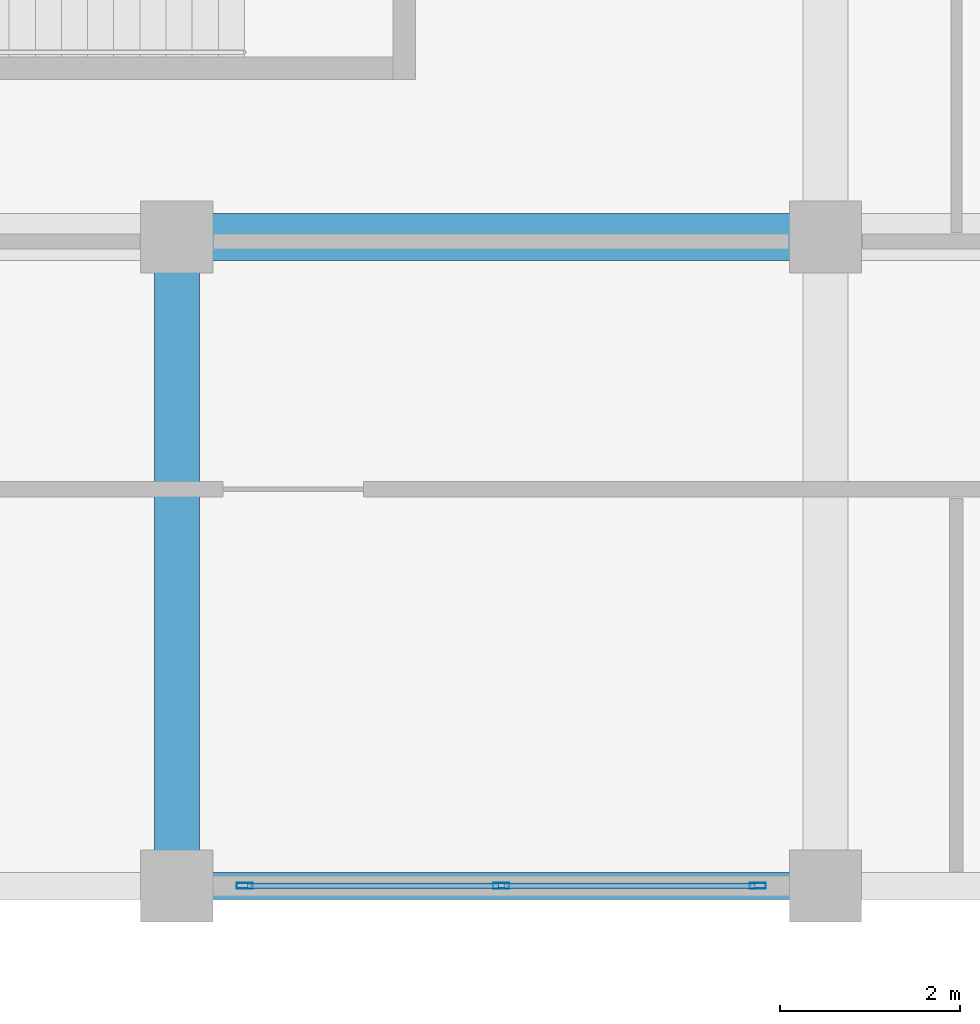
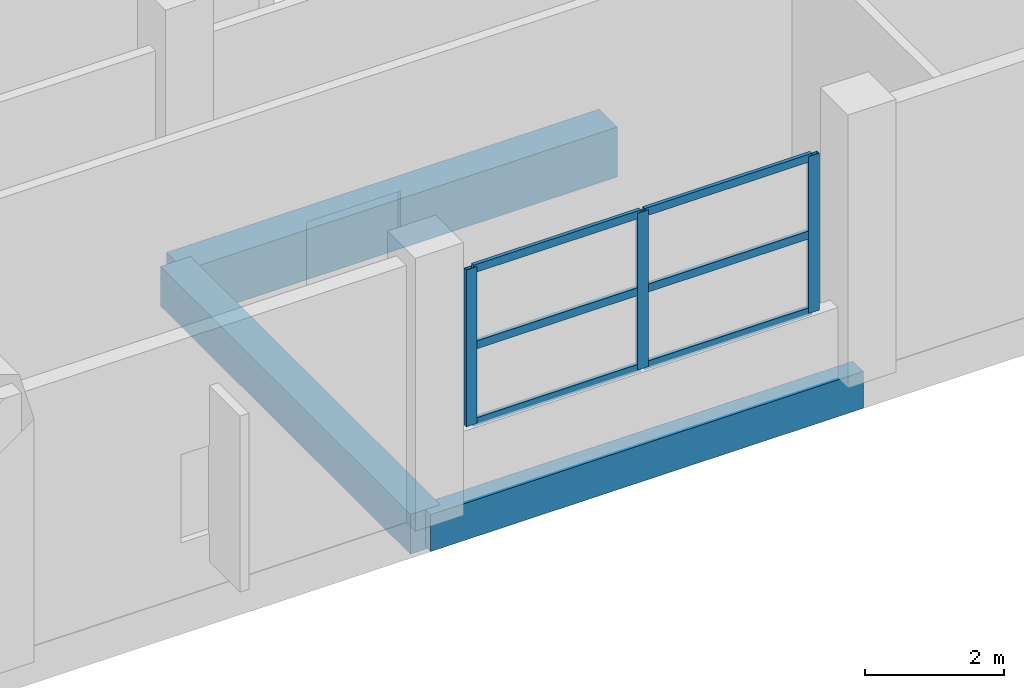
# One storey, part 10 of 140: 9 members, 3 beams, 1 element without a shape of its own.
"""IFC4 building model written with IfcOpenShell, lengths in metres."""

from ifc_helpers import new_model, si_unit, direction, frame, origin, origin_2d, place, context, subcontext, project, spatial, rectangle, hollow_rectangle, extrude, material, layer, layer_set, material_profile, profile_set, type_object, element, aggregate, save


model = new_model("IFC4")

# Units and contexts
model_context = context("Model", 3, precision=1e-05, world=origin(), true_north=direction((0.0, 1.0)))
body_context = subcontext(model_context, "Body", "Model", "MODEL_VIEW")
ifc_project = project(units=[si_unit("LENGTHUNIT", "METRE"), si_unit("AREAUNIT", "SQUARE_METRE"), si_unit("VOLUMEUNIT", "CUBIC_METRE"), si_unit("PLANEANGLEUNIT", "RADIAN"), si_unit("MASSUNIT", "GRAM", prefix="KILO")], contexts=[model_context])

# Site, building, storey
site_placement = place(None, origin())
site = spatial("IfcSite", under=ifc_project, at=site_placement, CompositionType="ELEMENT")
building_placement = place(site_placement, origin())
building = spatial("IfcBuilding", under=site, at=building_placement, Name="Seraya Terrace Polytechnic", CompositionType="ELEMENT")
storey_placement = place(building_placement, frame((0.0, 0.0, 9.60009765625)))
storey = spatial("IfcBuildingStorey", under=building, at=storey_placement, Name="L02", CompositionType="ELEMENT", Elevation=9.60009765625)

# Beams
ifc_material_1 = material(Name="Concrete C40/50", Category="concrete")
ifc_material_profile_1 = material_profile(ifc_material_1, rectangle(XDim=0.52001953125, YDim=0.8798828125, at=origin_2d()), Name="RC 520x880")
ifc_profile_set_1 = profile_set([ifc_material_profile_1], Name="Concrete C40/50")
beam_type_1 = type_object("IfcBeamType", Name="BM-04", PredefinedType="BEAM", material=ifc_profile_set_1)
beam_1_placement = place(storey_placement, frame((50.39990234375, 7.199951171875, -0.440185546875), z_axis=(1.0, 0.0, 0.0), x_axis=(0.0, 1.0, 0.0)))
element("IfcBeam", 1, at=beam_1_placement, inside=storey, type_object=beam_type_1, Name="Beam BM-04 L02 X (50.4..57.6, 7.2)", PredefinedType="BEAM", context=body_context, shape_type="SweptSolid", body=[
    extrude(rectangle(XDim=0.52001953125, YDim=0.8798828125, at=origin_2d()), origin(), (0.0, 0.0, 1.0), 7.2001953125),
])
ifc_material_profile_2 = material_profile(ifc_material_1, rectangle(XDim=0.5, YDim=0.699951171875, at=origin_2d()), Name="RC 500x700")
ifc_profile_set_2 = profile_set([ifc_material_profile_2], Name="Concrete C40/50")
beam_type_2 = type_object("IfcBeamType", Name="BM-07", PredefinedType="BEAM", material=ifc_profile_set_2)
beam_2_placement = place(storey_placement, frame((50.39990234375, 0.0, -0.35009765625), z_axis=(0.0, 1.0, 0.0), x_axis=(-1.0, 0.0, 0.0)))
element("IfcBeam", 2, at=beam_2_placement, inside=storey, type_object=beam_type_2, Name="Beam BM-07 L02 Y (50.4, 0.0..7.2)", PredefinedType="BEAM", context=body_context, shape_type="SweptSolid", body=[
    extrude(rectangle(XDim=0.5, YDim=0.699951171875, at=origin_2d()), origin(), (0.0, 0.0, 1.0), 7.199951171875),
])

# Curtain wall, members
ifc_material_2 = material(Name="Anodised aluminium EN AW-6063 T6", Category="aluminium")
ifc_layer = layer(ifc_material_2, 0.179931640625, Name="CW-04")
ifc_layer_set = layer_set([ifc_layer], Name="Anodised aluminium EN AW-6063 T6")
curtain_wall_type = type_object("IfcCurtainWallType", Name="CW-04", PredefinedType="NOTDEFINED", material=ifc_layer_set)
curtain_wall_placement = place(storey_placement, origin())
curtain_wall = element("IfcCurtainWall", 3, at=curtain_wall_placement, inside=storey, type_object=curtain_wall_type, Name="Unitised curtain wall CW-04 (CW-L02-076)", PredefinedType="NOTDEFINED")
ifc_material_profile_3 = material_profile(ifc_material_2, hollow_rectangle(XDim=0.06494140625, YDim=0.179931640625, WallThickness=0.00390625, at=origin_2d()), Name="RHS 180x65x4.0")
ifc_profile_set_3 = profile_set([ifc_material_profile_3], Name="Anodised aluminium EN AW-6063 T6")
member_type_1 = type_object("IfcMemberType", Name="CWM-01", PredefinedType="MULLION", material=ifc_profile_set_3)
member_1_placement = place(storey_placement, frame((56.847412109375, 0.0, 1.239990234375), z_axis=(0.0, 0.0, 1.0), x_axis=(0.0, -1.0, 0.0)))
member_1 = element("IfcMember", 4, at=member_1_placement, type_object=member_type_1, Name="CW-04 mullion 1", PredefinedType="MULLION", context=body_context, shape_type="SweptSolid", body=[
    extrude(hollow_rectangle(XDim=0.06494140625, YDim=0.179931640625, WallThickness=0.00390625, at=origin_2d()), origin(), (0.0, 0.0, 1.0), 2.760009765625),
])
member_2_placement = place(storey_placement, frame((54.0, 0.0, 1.239990234375), z_axis=(0.0, 0.0, 1.0), x_axis=(0.0, -1.0, 0.0)))
member_2 = element("IfcMember", 5, at=member_2_placement, type_object=member_type_1, Name="CW-04 mullion 2", PredefinedType="MULLION", context=body_context, shape_type="SweptSolid", body=[
    extrude(hollow_rectangle(XDim=0.06494140625, YDim=0.179931640625, WallThickness=0.00390625, at=origin_2d()), origin(), (0.0, 0.0, 1.0), 2.760009765625),
])
member_3_placement = place(storey_placement, frame((51.152587890625, 0.0, 1.239990234375), z_axis=(0.0, 0.0, 1.0), x_axis=(0.0, -1.0, 0.0)))
member_3 = element("IfcMember", 6, at=member_3_placement, type_object=member_type_1, Name="CW-04 mullion 3", PredefinedType="MULLION", context=body_context, shape_type="SweptSolid", body=[
    extrude(hollow_rectangle(XDim=0.06494140625, YDim=0.179931640625, WallThickness=0.00390625, at=origin_2d()), origin(), (0.0, 0.0, 1.0), 2.760009765625),
])
ifc_material_profile_4 = material_profile(ifc_material_2, hollow_rectangle(XDim=0.06005859375, YDim=0.139892578125, WallThickness=0.00341796875, at=origin_2d()), Name="RHS 140x60x3.5")
ifc_profile_set_4 = profile_set([ifc_material_profile_4], Name="Anodised aluminium EN AW-6063 T6")
member_type_2 = type_object("IfcMemberType", Name="CWT-01", PredefinedType="USERDEFINED", material=ifc_profile_set_4)
member_4_placement = place(storey_placement, frame((56.81494140625, 0.0, 1.27001953125), z_axis=(-1.0, 0.0, 0.0), x_axis=(0.0, -1.0, 0.0)))
member_4 = element("IfcMember", 7, at=member_4_placement, type_object=member_type_2, Name="CW-04 transom 1.1", ObjectType="TRANSOM", PredefinedType="USERDEFINED", context=body_context, shape_type="SweptSolid", body=[
    extrude(hollow_rectangle(XDim=0.06005859375, YDim=0.139892578125, WallThickness=0.00341796875, at=origin_2d()), origin(), (0.0, 0.0, 1.0), 2.782470703125),
])
member_5_placement = place(storey_placement, frame((56.81494140625, 0.0, 2.619873046875), z_axis=(-1.0, 0.0, 0.0), x_axis=(0.0, -1.0, 0.0)))
member_5 = element("IfcMember", 8, at=member_5_placement, type_object=member_type_2, Name="CW-04 transom 1.2", ObjectType="TRANSOM", PredefinedType="USERDEFINED", context=body_context, shape_type="SweptSolid", body=[
    extrude(hollow_rectangle(XDim=0.06005859375, YDim=0.139892578125, WallThickness=0.00341796875, at=origin_2d()), origin(), (0.0, 0.0, 1.0), 2.782470703125),
])
member_6_placement = place(storey_placement, frame((56.81494140625, 0.0, 3.969970703125), z_axis=(-1.0, 0.0, 0.0), x_axis=(0.0, -1.0, 0.0)))
member_6 = element("IfcMember", 9, at=member_6_placement, type_object=member_type_2, Name="CW-04 transom 1.3", ObjectType="TRANSOM", PredefinedType="USERDEFINED", context=body_context, shape_type="SweptSolid", body=[
    extrude(hollow_rectangle(XDim=0.06005859375, YDim=0.139892578125, WallThickness=0.00341796875, at=origin_2d()), origin(), (0.0, 0.0, 1.0), 2.782470703125),
])
member_7_placement = place(storey_placement, frame((53.967529296875, 0.0, 1.27001953125), z_axis=(-1.0, 0.0, 0.0), x_axis=(0.0, -1.0, 0.0)))
member_7 = element("IfcMember", 10, at=member_7_placement, type_object=member_type_2, Name="CW-04 transom 2.1", ObjectType="TRANSOM", PredefinedType="USERDEFINED", context=body_context, shape_type="SweptSolid", body=[
    extrude(hollow_rectangle(XDim=0.06005859375, YDim=0.139892578125, WallThickness=0.00341796875, at=origin_2d()), origin(), (0.0, 0.0, 1.0), 2.782470703125),
])
member_8_placement = place(storey_placement, frame((53.967529296875, 0.0, 2.619873046875), z_axis=(-1.0, 0.0, 0.0), x_axis=(0.0, -1.0, 0.0)))
member_8 = element("IfcMember", 11, at=member_8_placement, type_object=member_type_2, Name="CW-04 transom 2.2", ObjectType="TRANSOM", PredefinedType="USERDEFINED", context=body_context, shape_type="SweptSolid", body=[
    extrude(hollow_rectangle(XDim=0.06005859375, YDim=0.139892578125, WallThickness=0.00341796875, at=origin_2d()), origin(), (0.0, 0.0, 1.0), 2.782470703125),
])
member_9_placement = place(storey_placement, frame((53.967529296875, 0.0, 3.969970703125), z_axis=(-1.0, 0.0, 0.0), x_axis=(0.0, -1.0, 0.0)))
member_9 = element("IfcMember", 12, at=member_9_placement, type_object=member_type_2, Name="CW-04 transom 2.3", ObjectType="TRANSOM", PredefinedType="USERDEFINED", context=body_context, shape_type="SweptSolid", body=[
    extrude(hollow_rectangle(XDim=0.06005859375, YDim=0.139892578125, WallThickness=0.00341796875, at=origin_2d()), origin(), (0.0, 0.0, 1.0), 2.782470703125),
])
aggregate(curtain_wall, [member_1, member_2, member_3, member_4, member_5, member_6, member_7, member_8, member_9])

# Beam
ifc_material_profile_5 = material_profile(ifc_material_1, rectangle(XDim=0.300048828125, YDim=0.64990234375, at=origin_2d()), Name="RC 300x650")
ifc_profile_set_5 = profile_set([ifc_material_profile_5], Name="Concrete C40/50")
beam_type_3 = type_object("IfcBeamType", Name="SP-01", PredefinedType="SPANDREL", material=ifc_profile_set_5)
beam_3_placement = place(storey_placement, frame((50.39990234375, 0.0, -0.3251953125), z_axis=(1.0, 0.0, 0.0), x_axis=(0.0, 1.0, 0.0)))
element("IfcBeam", 13, at=beam_3_placement, inside=storey, type_object=beam_type_3, Name="Beam SP-01 L02 X (50.4..57.6, 0.0)", PredefinedType="SPANDREL", context=body_context, shape_type="SweptSolid", body=[
    extrude(rectangle(XDim=0.300048828125, YDim=0.64990234375, at=origin_2d()), origin(), (0.0, 0.0, 1.0), 7.2001953125),
])

save(model, "model.ifc")
